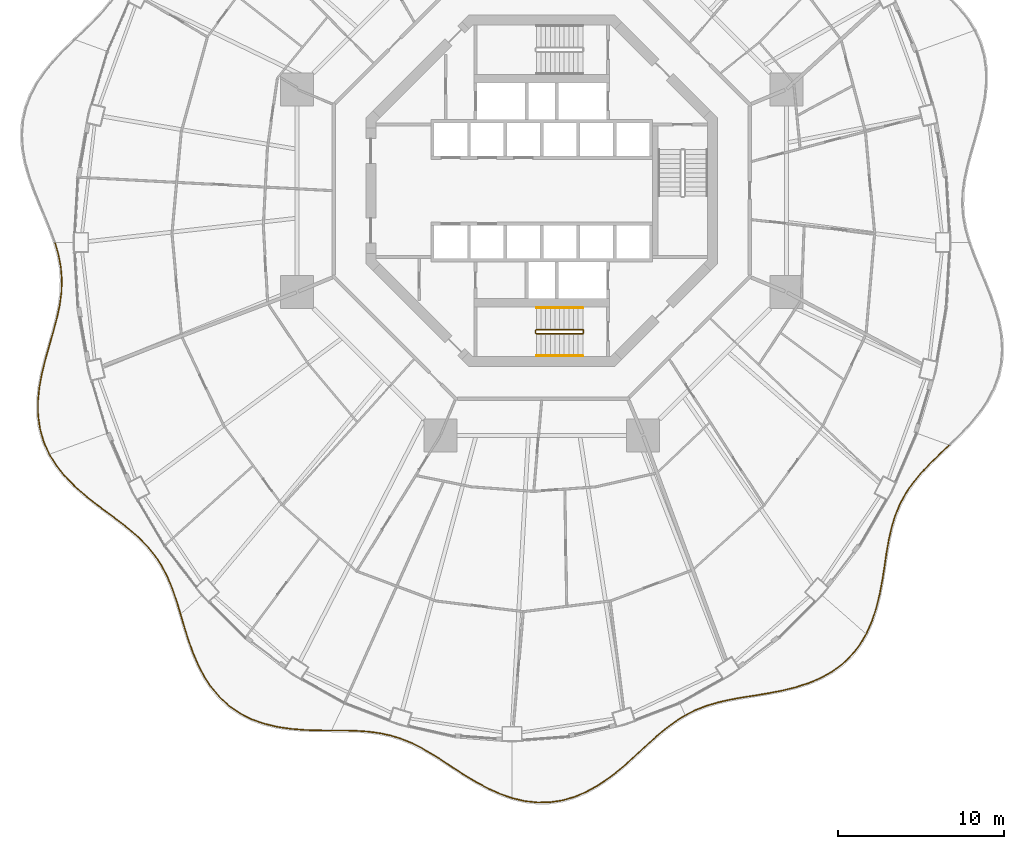
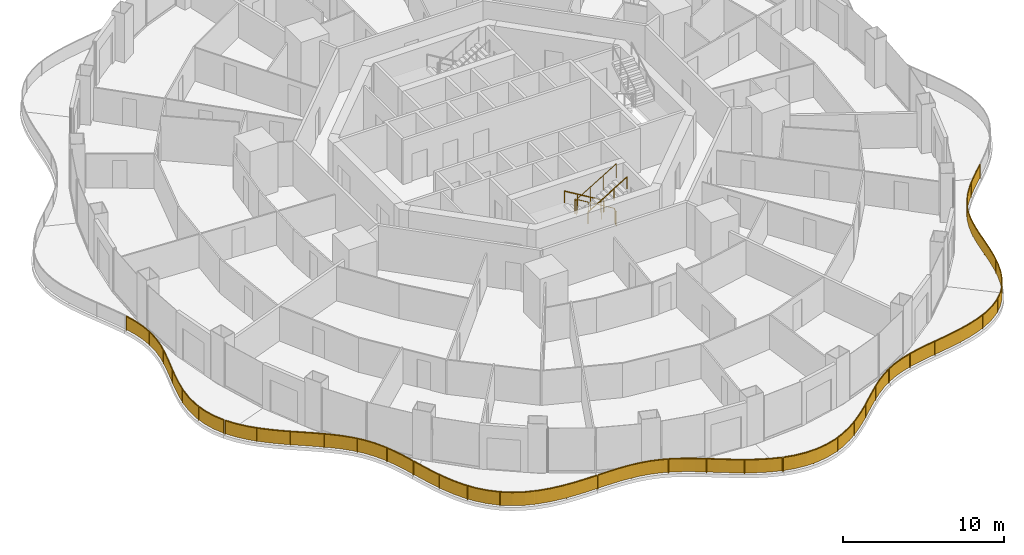
# One storey, part 19 of 21: 10 railings.
"""IFC4 building model written with IfcOpenShell, lengths in metres."""

from ifc_helpers import new_model, si_unit, direction, frame, origin, origin_2d, place, context, subcontext, project, spatial, polyline, rectangle, circle, outline, extrude, material, type_object, element, save


model = new_model("IFC4")

# Units and contexts
model_context = context("Model", 3, precision=1e-05, world=origin(), true_north=direction((0.0, 1.0)))
body_context = subcontext(model_context, "Body", "Model", "MODEL_VIEW")
ifc_project = project(units=[si_unit("LENGTHUNIT", "METRE"), si_unit("AREAUNIT", "SQUARE_METRE"), si_unit("VOLUMEUNIT", "CUBIC_METRE"), si_unit("PLANEANGLEUNIT", "RADIAN"), si_unit("MASSUNIT", "GRAM", prefix="KILO")], contexts=[model_context])

# Site, building, storey
site_placement = place(None, origin())
site = spatial("IfcSite", under=ifc_project, at=site_placement, CompositionType="ELEMENT")
building_placement = place(site_placement, origin())
building = spatial("IfcBuilding", under=site, at=building_placement, Name="Nagisa Residences", CompositionType="ELEMENT")
storey_placement = place(building_placement, frame((0.0, 0.0, 156.60009765625)))
storey = spatial("IfcBuildingStorey", under=building, at=storey_placement, Name="L39", CompositionType="ELEMENT", Elevation=156.60009765625)

# Railings
ifc_material_1 = material(Name="Stainless steel 316", Category="steel")
railing_type_1 = type_object("IfcRailingType", Name="BALCONY GUARD 1100", PredefinedType="BALUSTRADE", material=ifc_material_1)
railing_1_placement = place(storey_placement, frame((-29.405029296875, -3.15234375, 0.0)))
element("IfcRailing", 1, at=railing_1_placement, inside=storey, type_object=railing_type_1, Name="guard:L39:bal08-0", PredefinedType="BALUSTRADE", context=body_context, shape_type="SweptSolid", body=[
    extrude(outline(polyline([(0.23046875, -0.710693359375), (0.024169921875, 0.0068359375), (-0.024169921875, -0.0068359375), (0.181640625, -0.722412109375), (0.3232421875, -1.47265625), (0.3828125, -2.222900390625), (0.35888671875, -2.980712890625), (0.257568359375, -3.75048828125), (0.08935546875, -4.524169921875), (-0.1240234375, -5.3310546875), (-0.3623046875, -6.157470703125), (-0.60009765625, -7.001220703125), (-0.811279296875, -7.857666015625), (-0.97412109375, -8.706298828125), (-1.058837890625, -9.56591796875), (-1.050048828125, -10.413818359375), (-0.935302734375, -11.2392578125), (-0.707275390625, -12.033935546875), (-0.385498046875, -12.746337890625), (-0.340087890625, -12.725830078125), (-0.660400390625, -12.016845703125), (-0.885986328125, -11.22900390625), (-1.000244140625, -10.409912109375), (-1.008544921875, -9.568359375), (-0.92431640625, -8.713623046875), (-0.762451171875, -7.868408203125), (-0.5517578125, -7.013916015625), (-0.31396484375, -6.171142578125), (-0.07568359375, -5.34423828125), (0.13818359375, -4.535888671875), (0.306884765625, -3.75927734375), (0.40869140625, -2.984619140625), (0.43310546875, -2.221923828125), (0.373046875, -1.4658203125), (0.23046875, -0.710693359375)])), frame((0.0, 0.0, 1.050048828125)), (0.0, 0.0, 1.0), 0.050048828125),
    extrude(outline(polyline([(0.212890625, -0.71484375), (0.0068359375, 0.001953125), (-0.0068359375, -0.001953125), (0.19921875, -0.71826171875), (0.34130859375, -1.47021484375), (0.40087890625, -2.22265625), (0.376708984375, -2.982177734375), (0.275390625, -3.753662109375), (0.10693359375, -4.5283203125), (-0.106689453125, -5.335693359375), (-0.344970703125, -6.162353515625), (-0.582763671875, -7.005859375), (-0.793701171875, -7.861572265625), (-0.9560546875, -8.708984375), (-1.040771484375, -9.56689453125), (-1.0322265625, -10.412353515625), (-0.91748046875, -11.235595703125), (-0.6904296875, -12.02783203125), (-0.369140625, -12.739013671875), (-0.3564453125, -12.733154296875), (-0.67724609375, -12.02294921875), (-0.90380859375, -11.232666015625), (-1.01806640625, -10.411376953125), (-1.026611328125, -9.5673828125), (-0.9423828125, -8.7109375), (-0.780029296875, -7.864501953125), (-0.569091796875, -7.00927734375), (-0.331298828125, -6.166259765625), (-0.093017578125, -5.339599609375), (0.12060546875, -4.53173828125), (0.2890625, -3.756103515625), (0.390869140625, -2.983154296875), (0.4150390625, -2.22216796875), (0.35498046875, -1.46826171875), (0.212890625, -0.71484375)])), frame((0.0, 0.0, 0.06005859375)), (0.0, 0.0, 1.0), 0.989990234375),
    extrude(rectangle(XDim=0.0400390625, YDim=0.0400390625, at=origin_2d()), origin(), (0.0, 0.0, 1.0), 1.050048828125),
    extrude(rectangle(XDim=0.0400390625, YDim=0.0400390625, at=origin_2d()), frame((0.400634765625, -2.13134765625, 0.0)), (0.0, 0.0, 1.0), 1.050048828125),
    extrude(rectangle(XDim=0.0400390625, YDim=0.0400390625, at=origin_2d()), frame((0.16650390625, -4.287353515625, 0.0)), (0.0, 0.0, 1.0), 1.050048828125),
    extrude(rectangle(XDim=0.0400390625, YDim=0.0400390625, at=origin_2d()), frame((-0.401123046875, -6.38720703125, 0.0)), (0.0, 0.0, 1.0), 1.050048828125),
    extrude(rectangle(XDim=0.0400390625, YDim=0.0400390625, at=origin_2d()), frame((-0.9091796875, -8.50146484375, 0.0)), (0.0, 0.0, 1.0), 1.050048828125),
    extrude(rectangle(XDim=0.0400390625, YDim=0.0400390625, at=origin_2d()), frame((-0.98974609375, -10.666748046875, 0.0)), (0.0, 0.0, 1.0), 1.050048828125),
    extrude(rectangle(XDim=0.0400390625, YDim=0.0400390625, at=origin_2d()), frame((-0.36279296875, -12.736083984375, 0.0)), (0.0, 0.0, 1.0), 1.050048828125),
])
railing_2_placement = place(storey_placement, frame((-29.731201171875, -15.95654296875, 0.0)))
element("IfcRailing", 2, at=railing_2_placement, inside=storey, type_object=railing_type_1, Name="guard:L39:bal09-0", PredefinedType="BALUSTRADE", context=body_context, shape_type="SweptSolid", body=[
    extrude(outline(polyline([(0.4267578125, -0.634033203125), (0.021240234375, 0.01318359375), (-0.021240234375, -0.01318359375), (0.3857421875, -0.662841796875), (0.904541015625, -1.31005859375), (1.49462890625, -1.91455078125), (2.136474609375, -2.480224609375), (2.808349609375, -3.013671875), (3.481201171875, -3.510986328125), (4.1474609375, -4.009765625), (4.78125, -4.5087890625), (5.36767578125, -5.020751953125), (5.895751953125, -5.55712890625), (6.351806640625, -6.115478515625), (6.752685546875, -6.728515625), (7.094970703125, -7.38818359375), (7.388671875, -8.095458984375), (7.647216796875, -8.8466796875), (7.872802734375, -9.591552734375), (7.920654296875, -9.576904296875), (7.695068359375, -8.8310546875), (7.435546875, -8.077880859375), (7.140380859375, -7.3671875), (6.796142578125, -6.703125), (6.392333984375, -6.085693359375), (5.932861328125, -5.5234375), (5.40185546875, -4.984130859375), (4.81298828125, -4.47021484375), (4.177734375, -3.97021484375), (3.510986328125, -3.470947265625), (2.838623046875, -2.97412109375), (2.168701171875, -2.441650390625), (1.529296875, -1.87841796875), (0.942138671875, -1.27685546875), (0.4267578125, -0.634033203125)])), frame((0.0, 0.0, 1.050048828125)), (0.0, 0.0, 1.0), 0.050048828125),
    extrude(outline(polyline([(0.411865234375, -0.644287109375), (0.005859375, 0.003662109375), (-0.005859375, -0.003662109375), (0.400634765625, -0.652587890625), (0.918212890625, -1.298095703125), (1.507080078125, -1.901611328125), (2.148193359375, -2.46630859375), (2.8193359375, -2.99951171875), (3.491943359375, -3.49658203125), (4.158447265625, -3.99560546875), (4.792724609375, -4.494873046875), (5.3798828125, -5.007568359375), (5.9091796875, -5.544921875), (6.366455078125, -6.104736328125), (6.768310546875, -6.71923828125), (7.111328125, -7.380615234375), (7.405517578125, -8.089111328125), (7.66455078125, -8.841064453125), (7.89013671875, -9.586181640625), (7.9033203125, -9.582275390625), (7.677734375, -8.836669921875), (7.418701171875, -8.084228515625), (7.1240234375, -7.374755859375), (6.780517578125, -6.71240234375), (6.377685546875, -6.096435546875), (5.91943359375, -5.53564453125), (5.3896484375, -4.997314453125), (4.801513671875, -4.484130859375), (4.166748046875, -3.984375), (3.500244140625, -3.4853515625), (2.82763671875, -2.98828125), (2.156982421875, -2.45556640625), (1.516845703125, -1.891357421875), (0.928466796875, -1.288818359375), (0.411865234375, -0.644287109375)])), frame((0.0, 0.0, 0.06005859375)), (0.0, 0.0, 1.0), 0.989990234375),
    extrude(rectangle(XDim=0.0400390625, YDim=0.0400390625, at=origin_2d()), origin(), (0.0, 0.0, 1.0), 1.050048828125),
    extrude(rectangle(XDim=0.0400390625, YDim=0.0400390625, at=origin_2d()), frame((1.290283203125, -1.66943359375, 0.0)), (0.0, 0.0, 1.0), 1.050048828125),
    extrude(rectangle(XDim=0.0400390625, YDim=0.0400390625, at=origin_2d()), frame((2.89501953125, -3.046875, 0.0)), (0.0, 0.0, 1.0), 1.050048828125),
    extrude(rectangle(XDim=0.0400390625, YDim=0.0400390625, at=origin_2d()), frame((4.584716796875, -4.322265625, 0.0)), (0.0, 0.0, 1.0), 1.050048828125),
    extrude(rectangle(XDim=0.0400390625, YDim=0.0400390625, at=origin_2d()), frame((6.111572265625, -5.781982421875, 0.0)), (0.0, 0.0, 1.0), 1.050048828125),
    extrude(rectangle(XDim=0.0400390625, YDim=0.0400390625, at=origin_2d()), frame((7.203857421875, -7.58544921875, 0.0)), (0.0, 0.0, 1.0), 1.050048828125),
    extrude(rectangle(XDim=0.0400390625, YDim=0.0400390625, at=origin_2d()), frame((7.896728515625, -9.584228515625, 0.0)), (0.0, 0.0, 1.0), 1.050048828125),
])
railing_3_placement = place(storey_placement, frame((-21.814453125, -25.61376953125, 0.0)))
element("IfcRailing", 3, at=railing_3_placement, inside=storey, type_object=railing_type_1, Name="guard:L39:bal10-0", PredefinedType="BALUSTRADE", context=body_context, shape_type="SweptSolid", body=[
    extrude(outline(polyline([(0.237548828125, -0.723388671875), (0.02392578125, 0.007080078125), (-0.02392578125, -0.007080078125), (0.189697265625, -0.738037109375), (0.43505859375, -1.5205078125), (0.712158203125, -2.29736328125), (1.03466796875, -3.05322265625), (1.413818359375, -3.77197265625), (1.845458984375, -4.427734375), (2.35791015625, -5.028564453125), (2.93994140625, -5.552978515625), (3.587158203125, -5.993896484375), (4.29296875, -6.3486328125), (5.03564453125, -6.60986328125), (5.826171875, -6.7998046875), (6.64306640625, -6.92138671875), (7.4716796875, -6.98779296875), (8.299560546875, -7.015380859375), (9.07080078125, -7.019287109375), (9.0712890625, -6.969482421875), (8.300537109375, -6.965576171875), (7.474609375, -6.93798828125), (6.64892578125, -6.87158203125), (5.8359375, -6.75048828125), (5.0498046875, -6.56201171875), (4.3125, -6.30224609375), (3.612548828125, -5.950439453125), (2.970703125, -5.513427734375), (2.39404296875, -4.993408203125), (1.885498046875, -4.3974609375), (1.456787109375, -3.74658203125), (1.080078125, -3.03173828125), (0.758544921875, -2.279296875), (0.482421875, -1.50439453125), (0.237548828125, -0.723388671875)])), frame((0.0, 0.0, 1.050048828125)), (0.0, 0.0, 1.0), 0.050048828125),
    extrude(outline(polyline([(0.22021484375, -0.728759765625), (0.0068359375, 0.001953125), (-0.0068359375, -0.001953125), (0.20703125, -0.732666015625), (0.4521484375, -1.5146484375), (0.728759765625, -2.290771484375), (1.051025390625, -3.04541015625), (1.42919921875, -3.762939453125), (1.85986328125, -4.416748046875), (2.370849609375, -5.015869140625), (2.950927734375, -5.538818359375), (3.59619140625, -5.978271484375), (4.300048828125, -6.331787109375), (5.040771484375, -6.5927734375), (5.829833984375, -6.781982421875), (6.645263671875, -6.903564453125), (7.47265625, -6.969970703125), (8.2998046875, -6.99755859375), (9.071044921875, -7.00146484375), (9.071044921875, -6.9873046875), (8.30029296875, -6.9833984375), (7.4736328125, -6.955810546875), (6.646728515625, -6.889404296875), (5.832275390625, -6.768310546875), (5.044677734375, -6.5791015625), (4.305419921875, -6.319091796875), (3.603515625, -5.966064453125), (2.959716796875, -5.527587890625), (2.381103515625, -5.006103515625), (1.87109375, -4.408447265625), (1.44140625, -3.755615234375), (1.063720703125, -3.03955078125), (0.741943359375, -2.285888671875), (0.46533203125, -1.51025390625), (0.22021484375, -0.728759765625)])), frame((0.0, 0.0, 0.06005859375)), (0.0, 0.0, 1.0), 0.989990234375),
    extrude(rectangle(XDim=0.0400390625, YDim=0.0400390625, at=origin_2d()), origin(), (0.0, 0.0, 1.0), 1.050048828125),
    extrude(rectangle(XDim=0.0400390625, YDim=0.0400390625, at=origin_2d()), frame((0.644287109375, -2.03271484375, 0.0)), (0.0, 0.0, 1.0), 1.050048828125),
    extrude(rectangle(XDim=0.0400390625, YDim=0.0400390625, at=origin_2d()), frame((1.5625, -3.952392578125, 0.0)), (0.0, 0.0, 1.0), 1.050048828125),
    extrude(rectangle(XDim=0.0400390625, YDim=0.0400390625, at=origin_2d()), frame((2.9677734375, -5.541748046875, 0.0)), (0.0, 0.0, 1.0), 1.050048828125),
    extrude(rectangle(XDim=0.0400390625, YDim=0.0400390625, at=origin_2d()), frame((4.851318359375, -6.5185546875, 0.0)), (0.0, 0.0, 1.0), 1.050048828125),
    extrude(rectangle(XDim=0.0400390625, YDim=0.0400390625, at=origin_2d()), frame((6.9404296875, -6.920166015625, 0.0)), (0.0, 0.0, 1.0), 1.050048828125),
    extrude(rectangle(XDim=0.0400390625, YDim=0.0400390625, at=origin_2d()), frame((9.071044921875, -6.994384765625, 0.0)), (0.0, 0.0, 1.0), 1.050048828125),
])
railing_4_placement = place(storey_placement, frame((-12.667724609375, -32.60693359375, 0.0)))
element("IfcRailing", 4, at=railing_4_placement, inside=storey, type_object=railing_type_1, Name="guard:L39:bal11-0", PredefinedType="BALUSTRADE", context=body_context, shape_type="SweptSolid", body=[
    extrude(outline(polyline([(0.723388671875, 0.0224609375), (0.0, 0.02490234375), (0.0, -0.02490234375), (0.722412109375, -0.02734375), (1.467041015625, -0.04736328125), (2.185302734375, -0.097412109375), (2.876220703125, -0.189453125), (3.543212890625, -0.333251953125), (4.173095703125, -0.529541015625), (4.805908203125, -0.7890625), (5.43212890625, -1.1044921875), (6.058837890625, -1.468505859375), (6.69287109375, -1.869140625), (7.323486328125, -2.289794921875), (7.989990234375, -2.718505859375), (8.677978515625, -3.133544921875), (9.388427734375, -3.515625), (10.1201171875, -3.846435546875), (10.822998046875, -4.09521484375), (10.839599609375, -4.0478515625), (10.138671875, -3.800048828125), (9.410400390625, -3.470703125), (8.702880859375, -3.090087890625), (8.016357421875, -2.676025390625), (7.350830078125, -2.247802734375), (6.72021484375, -1.8271484375), (6.084716796875, -1.425537109375), (5.4560546875, -1.060546875), (4.826904296875, -0.74365234375), (4.190185546875, -0.482177734375), (3.555908203125, -0.284912109375), (2.885009765625, -0.14013671875), (2.190185546875, -0.047607421875), (1.469482421875, 0.00244140625), (0.723388671875, 0.0224609375)])), frame((0.0, 0.0, 1.050048828125)), (0.0, 0.0, 1.0), 0.050048828125),
    extrude(outline(polyline([(0.722900390625, 0.004638671875), (0.0, 0.007080078125), (0.0, -0.007080078125), (0.722900390625, -0.009521484375), (1.468017578125, -0.029541015625), (2.18701171875, -0.07958984375), (2.87939453125, -0.171630859375), (3.5478515625, -0.31591796875), (4.17919921875, -0.512451171875), (4.8134765625, -0.772705078125), (5.440673828125, -1.088623046875), (6.068115234375, -1.453125), (6.70263671875, -1.85400390625), (7.333251953125, -2.274658203125), (7.99951171875, -2.703125), (8.68701171875, -3.117919921875), (9.396240234375, -3.49951171875), (10.126708984375, -3.829833984375), (10.828857421875, -4.078125), (10.833740234375, -4.06494140625), (10.132080078125, -3.816650390625), (9.402587890625, -3.48681640625), (8.69384765625, -3.105712890625), (8.0068359375, -2.69140625), (7.341064453125, -2.262939453125), (6.71044921875, -1.84228515625), (6.075439453125, -1.44091796875), (5.447509765625, -1.076416015625), (4.8193359375, -0.760009765625), (4.18408203125, -0.499267578125), (3.55126953125, -0.30224609375), (2.8818359375, -0.157958984375), (2.1884765625, -0.0654296875), (1.468505859375, -0.015380859375), (0.722900390625, 0.004638671875)])), frame((0.0, 0.0, 0.06005859375)), (0.0, 0.0, 1.0), 0.989990234375),
    extrude(rectangle(XDim=0.0400390625, YDim=0.0400390625, at=origin_2d()), origin(), (0.0, 0.0, 1.0), 1.050048828125),
    extrude(rectangle(XDim=0.0400390625, YDim=0.0400390625, at=origin_2d()), frame((2.357177734375, -0.09521484375, 0.0)), (0.0, 0.0, 1.0), 1.050048828125),
    extrude(rectangle(XDim=0.0400390625, YDim=0.0400390625, at=origin_2d()), frame((4.6318359375, -0.690673828125, 0.0)), (0.0, 0.0, 1.0), 1.050048828125),
    extrude(rectangle(XDim=0.0400390625, YDim=0.0400390625, at=origin_2d()), frame((6.691162109375, -1.83837890625, 0.0)), (0.0, 0.0, 1.0), 1.050048828125),
    extrude(rectangle(XDim=0.0400390625, YDim=0.0400390625, at=origin_2d()), frame((8.681884765625, -3.106689453125, 0.0)), (0.0, 0.0, 1.0), 1.050048828125),
    extrude(rectangle(XDim=0.0400390625, YDim=0.0400390625, at=origin_2d()), frame((10.831298828125, -4.071533203125, 0.0)), (0.0, 0.0, 1.0), 1.050048828125),
])
railing_5_placement = place(storey_placement, frame((-1.762451171875, -36.700927734375, 0.0)))
element("IfcRailing", 5, at=railing_5_placement, inside=storey, type_object=railing_type_1, Name="guard:L39:bal12-0", PredefinedType="BALUSTRADE", context=body_context, shape_type="SweptSolid", body=[
    extrude(outline(polyline([(0.717529296875, -0.14599609375), (0.005859375, 0.0244140625), (-0.005859375, -0.0244140625), (0.708740234375, -0.1953125), (1.477783203125, -0.28271484375), (2.24560546875, -0.270263671875), (3.0048828125, -0.156982421875), (3.74658203125, 0.054443359375), (4.4521484375, 0.3544921875), (5.146728515625, 0.736328125), (5.812255859375, 1.182861328125), (6.448486328125, 1.677001953125), (7.057373046875, 2.199951171875), (7.6259765625, 2.72802734375), (8.194091796875, 3.253173828125), (8.75244140625, 3.754150390625), (9.3095703125, 4.217529296875), (9.87451171875, 4.6328125), (10.4189453125, 4.972412109375), (10.392578125, 5.014892578125), (9.84619140625, 4.67431640625), (9.27880859375, 4.257080078125), (8.7197265625, 3.792236328125), (8.160400390625, 3.290283203125), (7.591796875, 2.7646484375), (7.024169921875, 2.237060546875), (6.416748046875, 1.715576171875), (5.782958984375, 1.223388671875), (5.120849609375, 0.779296875), (4.43017578125, 0.3994140625), (3.72998046875, 0.101806640625), (2.994140625, -0.108154296875), (2.24169921875, -0.220458984375), (1.480224609375, -0.232421875), (0.717529296875, -0.14599609375)])), frame((0.0, 0.0, 1.050048828125)), (0.0, 0.0, 1.0), 0.050048828125),
    extrude(outline(polyline([(0.71435546875, -0.163818359375), (0.001708984375, 0.0068359375), (-0.001708984375, -0.0068359375), (0.7119140625, -0.177490234375), (1.478759765625, -0.2646484375), (2.244140625, -0.25244140625), (3.0009765625, -0.139404296875), (3.74072265625, 0.071533203125), (4.4443359375, 0.37060546875), (5.137451171875, 0.751708984375), (5.8017578125, 1.197509765625), (6.43701171875, 1.69091796875), (7.04541015625, 2.21337890625), (7.613525390625, 2.7412109375), (8.181884765625, 3.2666015625), (8.74072265625, 3.767822265625), (9.298583984375, 4.231689453125), (9.8642578125, 4.647705078125), (10.409423828125, 4.98779296875), (10.402099609375, 4.99951171875), (9.8564453125, 4.659423828125), (9.289794921875, 4.242919921875), (8.7314453125, 3.778564453125), (8.172607421875, 3.27685546875), (7.604248046875, 2.75146484375), (7.0361328125, 2.2236328125), (6.42822265625, 1.70166015625), (5.79345703125, 1.208740234375), (5.130126953125, 0.763916015625), (4.43798828125, 0.38330078125), (3.73583984375, 0.084716796875), (2.998046875, -0.125732421875), (2.2431640625, -0.23828125), (1.479248046875, -0.25048828125), (0.71435546875, -0.163818359375)])), frame((0.0, 0.0, 0.06005859375)), (0.0, 0.0, 1.0), 0.989990234375),
    extrude(rectangle(XDim=0.0400390625, YDim=0.0400390625, at=origin_2d()), origin(), (0.0, 0.0, 1.0), 1.050048828125),
    extrude(rectangle(XDim=0.0400390625, YDim=0.0400390625, at=origin_2d()), frame((1.996826171875, -0.249267578125, 0.0)), (0.0, 0.0, 1.0), 1.050048828125),
    extrude(rectangle(XDim=0.0400390625, YDim=0.0400390625, at=origin_2d()), frame((3.961669921875, 0.173095703125, 0.0)), (0.0, 0.0, 1.0), 1.050048828125),
    extrude(rectangle(XDim=0.0400390625, YDim=0.0400390625, at=origin_2d()), frame((5.723876953125, 1.153564453125, 0.0)), (0.0, 0.0, 1.0), 1.050048828125),
    extrude(rectangle(XDim=0.0400390625, YDim=0.0400390625, at=origin_2d()), frame((7.28076171875, 2.44140625, 0.0)), (0.0, 0.0, 1.0), 1.050048828125),
    extrude(rectangle(XDim=0.0400390625, YDim=0.0400390625, at=origin_2d()), frame((8.77392578125, 3.8046875, 0.0)), (0.0, 0.0, 1.0), 1.050048828125),
    extrude(rectangle(XDim=0.0400390625, YDim=0.0400390625, at=origin_2d()), frame((10.40576171875, 4.99365234375, 0.0)), (0.0, 0.0, 1.0), 1.050048828125),
])
railing_6_placement = place(storey_placement, frame((8.703125, -31.6728515625, 0.0)))
element("IfcRailing", 6, at=railing_6_placement, inside=storey, type_object=railing_type_1, Name="guard:L39:bal13-0", PredefinedType="BALUSTRADE", context=body_context, shape_type="SweptSolid", body=[
    extrude(outline(polyline([(0.580322265625, 0.31982421875), (-0.01123046875, 0.0224609375), (0.01123046875, -0.0224609375), (0.600830078125, 0.27392578125), (1.25927734375, 0.53125), (1.95263671875, 0.7373046875), (2.681884765625, 0.902587890625), (3.443603515625, 1.041015625), (4.218017578125, 1.15966796875), (5.02392578125, 1.293701171875), (5.835205078125, 1.45166015625), (6.638671875, 1.64892578125), (7.41943359375, 1.89990234375), (8.1513671875, 2.205322265625), (8.8447265625, 2.59326171875), (9.4755859375, 3.05712890625), (10.03515625, 3.596923828125), (10.518310546875, 4.2080078125), (10.89697265625, 4.842041015625), (10.85400390625, 4.867919921875), (10.476806640625, 4.236328125), (9.998046875, 3.630615234375), (9.443359375, 3.095703125), (8.8173828125, 2.63525390625), (8.12939453125, 2.250244140625), (7.40234375, 1.94677734375), (6.625, 1.697265625), (5.824462890625, 1.50048828125), (5.01513671875, 1.343017578125), (4.210205078125, 1.208984375), (3.435302734375, 1.09033203125), (2.671630859375, 0.951416015625), (1.93994140625, 0.78564453125), (1.2431640625, 0.57861328125), (0.580322265625, 0.31982421875)])), frame((0.0, 0.0, 1.050048828125)), (0.0, 0.0, 1.0), 0.050048828125),
    extrude(outline(polyline([(0.587646484375, 0.30322265625), (-0.003173828125, 0.00634765625), (0.003173828125, -0.00634765625), (0.593505859375, 0.29052734375), (1.25341796875, 0.54833984375), (1.947998046875, 0.754638671875), (2.67822265625, 0.920166015625), (3.440673828125, 1.058837890625), (4.21533203125, 1.177490234375), (5.020751953125, 1.3115234375), (5.831298828125, 1.46923828125), (6.6337890625, 1.666259765625), (7.413330078125, 1.916748046875), (8.1435546875, 2.221435546875), (8.8349609375, 2.6083984375), (9.464111328125, 3.071044921875), (10.021728515625, 3.609130859375), (10.50341796875, 4.21826171875), (10.881591796875, 4.851318359375), (10.869384765625, 4.858642578125), (10.49169921875, 4.22607421875), (10.011474609375, 3.618408203125), (9.454833984375, 3.081787109375), (8.8271484375, 2.6201171875), (8.13720703125, 2.234130859375), (7.408447265625, 1.929931640625), (6.6298828125, 1.679931640625), (5.828369140625, 1.48291015625), (5.018310546875, 1.3251953125), (4.212890625, 1.191162109375), (3.438232421875, 1.072509765625), (2.67529296875, 0.933837890625), (1.944580078125, 0.768310546875), (1.2490234375, 0.5615234375), (0.587646484375, 0.30322265625)])), frame((0.0, 0.0, 0.06005859375)), (0.0, 0.0, 1.0), 0.989990234375),
    extrude(rectangle(XDim=0.0400390625, YDim=0.0400390625, at=origin_2d()), origin(), (0.0, 0.0, 1.0), 1.050048828125),
    extrude(rectangle(XDim=0.0400390625, YDim=0.0400390625, at=origin_2d()), frame((1.908935546875, 0.750244140625, 0.0)), (0.0, 0.0, 1.0), 1.050048828125),
    extrude(rectangle(XDim=0.0400390625, YDim=0.0400390625, at=origin_2d()), frame((3.927001953125, 1.140380859375, 0.0)), (0.0, 0.0, 1.0), 1.050048828125),
    extrude(rectangle(XDim=0.0400390625, YDim=0.0400390625, at=origin_2d()), frame((5.949951171875, 1.505615234375, 0.0)), (0.0, 0.0, 1.0), 1.050048828125),
    extrude(rectangle(XDim=0.0400390625, YDim=0.0400390625, at=origin_2d()), frame((7.905517578125, 2.1298828125, 0.0)), (0.0, 0.0, 1.0), 1.050048828125),
    extrude(rectangle(XDim=0.0400390625, YDim=0.0400390625, at=origin_2d()), frame((9.625244140625, 3.236328125, 0.0)), (0.0, 0.0, 1.0), 1.050048828125),
    extrude(rectangle(XDim=0.0400390625, YDim=0.0400390625, at=origin_2d()), frame((10.87548828125, 4.85498046875, 0.0)), (0.0, 0.0, 1.0), 1.050048828125),
])
railing_7_placement = place(storey_placement, frame((19.614013671875, -26.7490234375, 0.0)))
element("IfcRailing", 7, at=railing_7_placement, inside=storey, type_object=railing_type_1, Name="guard:L39:bal14-0", PredefinedType="BALUSTRADE", context=body_context, shape_type="SweptSolid", body=[
    extrude(outline(polyline([(0.298583984375, 0.72900390625), (-0.02294921875, 0.01025390625), (0.02294921875, -0.01025390625), (0.345458984375, 0.7109375), (0.6142578125, 1.518310546875), (0.820556640625, 2.353515625), (0.981201171875, 3.199951171875), (1.11474609375, 4.042724609375), (1.2333984375, 4.855224609375), (1.373779296875, 5.651611328125), (1.54638671875, 6.412109375), (1.767333984375, 7.13232421875), (2.048583984375, 7.8125), (2.390625, 8.442138671875), (2.808837890625, 9.053955078125), (3.292724609375, 9.642822265625), (3.833251953125, 10.21875), (4.416259765625, 10.7919921875), (4.991943359375, 11.340087890625), (4.957275390625, 11.376220703125), (4.381591796875, 10.828125), (3.797607421875, 10.25390625), (3.255126953125, 9.676025390625), (2.768798828125, 9.084228515625), (2.34765625, 8.468505859375), (2.003173828125, 7.833984375), (1.719970703125, 7.1494140625), (1.498046875, 6.4248046875), (1.324462890625, 5.661376953125), (1.18408203125, 4.863037109375), (1.0654296875, 4.050048828125), (0.931884765625, 3.208740234375), (0.771728515625, 2.3642578125), (0.56591796875, 1.532470703125), (0.298583984375, 0.72900390625)])), frame((0.0, 0.0, 1.050048828125)), (0.0, 0.0, 1.0), 0.050048828125),
    extrude(outline(polyline([(0.3154296875, 0.722412109375), (-0.00634765625, 0.0029296875), (0.00634765625, -0.0029296875), (0.32861328125, 0.717529296875), (0.596923828125, 1.5234375), (0.802978515625, 2.357421875), (0.96337890625, 3.203125), (1.096923828125, 4.04541015625), (1.215576171875, 4.85791015625), (1.35595703125, 5.655029296875), (1.529052734375, 6.416748046875), (1.750244140625, 7.138427734375), (2.0322265625, 7.8203125), (2.375, 8.45166015625), (2.79443359375, 9.06494140625), (3.279296875, 9.65478515625), (3.820556640625, 10.2314453125), (4.40380859375, 10.804931640625), (4.9794921875, 11.35302734375), (4.9697265625, 11.36328125), (4.39404296875, 10.815185546875), (3.810302734375, 10.2412109375), (3.2685546875, 9.6640625), (2.783203125, 9.0732421875), (2.36328125, 8.458984375), (2.01953125, 7.826171875), (1.737060546875, 7.143310546875), (1.515380859375, 6.420166015625), (1.34228515625, 5.657958984375), (1.201904296875, 4.8603515625), (1.083251953125, 4.04736328125), (0.94970703125, 3.20556640625), (0.789306640625, 2.3603515625), (0.583251953125, 1.52734375), (0.3154296875, 0.722412109375)])), frame((0.0, 0.0, 0.06005859375)), (0.0, 0.0, 1.0), 0.989990234375),
    extrude(rectangle(XDim=0.0400390625, YDim=0.0400390625, at=origin_2d()), origin(), (0.0, 0.0, 1.0), 1.050048828125),
    extrude(rectangle(XDim=0.0400390625, YDim=0.0400390625, at=origin_2d()), frame((0.70703125, 1.998046875, 0.0)), (0.0, 0.0, 1.0), 1.050048828125),
    extrude(rectangle(XDim=0.0400390625, YDim=0.0400390625, at=origin_2d()), frame((1.095947265625, 4.085693359375, 0.0)), (0.0, 0.0, 1.0), 1.050048828125),
    extrude(rectangle(XDim=0.0400390625, YDim=0.0400390625, at=origin_2d()), frame((1.46728515625, 6.176513671875, 0.0)), (0.0, 0.0, 1.0), 1.050048828125),
    extrude(rectangle(XDim=0.0400390625, YDim=0.0400390625, at=origin_2d()), frame((2.208251953125, 8.1591796875, 0.0)), (0.0, 0.0, 1.0), 1.050048828125),
    extrude(rectangle(XDim=0.0400390625, YDim=0.0400390625, at=origin_2d()), frame((3.465576171875, 9.863525390625, 0.0)), (0.0, 0.0, 1.0), 1.050048828125),
    extrude(rectangle(XDim=0.0400390625, YDim=0.0400390625, at=origin_2d()), frame((4.974609375, 11.358154296875, 0.0)), (0.0, 0.0, 1.0), 1.050048828125),
])
ifc_material_2 = material(Name="Stainless steel", Category="steel")
railing_type_2 = type_object("IfcRailingType", Name="Stair guard 1100", PredefinedType="GUARDRAIL", material=ifc_material_2)
railing_8_placement = place(storey_placement, frame((2.52490234375, -8.599609375, 0.0)))
element("IfcRailing", 8, at=railing_8_placement, inside=storey, type_object=railing_type_2, Name="L39 ST-S stair guard 1", PredefinedType="GUARDRAIL", context=body_context, shape_type="SweptSolid", body=[
    extrude(circle(Radius=0.02392578125, at=origin_2d()), frame((0.0, 0.0, 1.076171875), z_axis=(0.0, 1.0, 0.0), x_axis=(-1.0, 0.0, 0.0)), (0.0, 0.0, 1.0), 0.14990234375),
    extrude(circle(Radius=0.02392578125, at=origin_2d()), frame((0.0, 0.14990234375, 1.076171875), z_axis=(-0.273343290215, 0.274683208305, 0.921863645432), x_axis=(-0.708833529934, -0.705375805398, 0.0)), (0.0, 0.0, 1.0), 0.18212890625),
    extrude(circle(Radius=0.02392578125, at=origin_2d()), frame((-0.0498046875, 0.199951171875, 1.244140625), z_axis=(-0.857242210791, 0.0, 0.514913383045), x_axis=(0.0, -1.0, 0.0)), (0.0, 0.0, 1.0), 3.266357421875),
    extrude(circle(Radius=0.02392578125, at=origin_2d()), frame((-2.849853515625, 0.199951171875, 2.92578125), z_axis=(-0.707106781187, -0.707106781187, 0.0), x_axis=(0.707106781187, -0.707106781187, 0.0)), (0.0, 0.0, 1.0), 0.07080078125),
    extrude(circle(Radius=0.02392578125, at=origin_2d()), frame((-2.89990234375, 0.14990234375, 2.92578125), z_axis=(0.0, -1.0, 0.0), x_axis=(1.0, 0.0, 0.0)), (0.0, 0.0, 1.0), 0.14990234375),
    extrude(circle(Radius=0.02392578125, at=origin_2d()), frame((-2.89990234375, 0.0, 2.92578125), z_axis=(0.274243871929, -0.274243871929, 0.92172696468), x_axis=(0.707106781187, 0.707106781187, 0.0)), (0.0, 0.0, 1.0), 0.1826171875),
    extrude(circle(Radius=0.02392578125, at=origin_2d()), frame((-2.849853515625, -0.050048828125, 3.09423828125), z_axis=(0.857242210791, 0.0, 0.514913383045), x_axis=(0.0, 1.0, 0.0)), (0.0, 0.0, 1.0), 3.266357421875),
    extrude(circle(Radius=0.02099609375, at=origin_2d()), origin(), (0.0, 0.0, 1.0), 1.052001953125),
    extrude(circle(Radius=0.02099609375, at=origin_2d()), frame((0.0, 0.14990234375, 0.0)), (0.0, 0.0, 1.0), 1.052001953125),
    extrude(circle(Radius=0.02099609375, at=origin_2d()), frame((-0.0498046875, 0.199951171875, 0.16796875)), (0.0, 0.0, 1.0), 1.052001953125),
    extrude(circle(Radius=0.02099609375, at=origin_2d()), frame((-0.983154296875, 0.199951171875, 0.728515625)), (0.0, 0.0, 1.0), 1.052001953125),
    extrude(circle(Radius=0.02099609375, at=origin_2d()), frame((-1.91650390625, 0.199951171875, 1.289306640625)), (0.0, 0.0, 1.0), 1.052001953125),
    extrude(circle(Radius=0.02099609375, at=origin_2d()), frame((-2.849853515625, 0.199951171875, 1.849853515625)), (0.0, 0.0, 1.0), 1.052001953125),
    extrude(circle(Radius=0.02099609375, at=origin_2d()), frame((-2.89990234375, 0.14990234375, 1.849853515625)), (0.0, 0.0, 1.0), 1.052001953125),
    extrude(circle(Radius=0.02099609375, at=origin_2d()), frame((-2.89990234375, 0.0, 1.849853515625)), (0.0, 0.0, 1.0), 1.052001953125),
    extrude(circle(Radius=0.02099609375, at=origin_2d()), frame((-2.849853515625, -0.050048828125, 2.01806640625)), (0.0, 0.0, 1.0), 1.052001953125),
    extrude(circle(Radius=0.02099609375, at=origin_2d()), frame((-1.91650390625, -0.050048828125, 2.57861328125)), (0.0, 0.0, 1.0), 1.052001953125),
    extrude(circle(Radius=0.02099609375, at=origin_2d()), frame((-0.983154296875, -0.050048828125, 3.139404296875)), (0.0, 0.0, 1.0), 1.052001953125),
    extrude(circle(Radius=0.02099609375, at=origin_2d()), frame((-0.0498046875, -0.050048828125, 3.699951171875)), (0.0, 0.0, 1.0), 1.052001953125),
])
ifc_material_3 = material(Name="Stainless steel", Category="steel")
railing_type_3 = type_object("IfcRailingType", Name="Stair handrail 900", PredefinedType="HANDRAIL", material=ifc_material_3)
railing_9_placement = place(storey_placement, frame((2.47509765625, -7.07470703125, 0.16796875)))
element("IfcRailing", 9, at=railing_9_placement, inside=storey, type_object=railing_type_3, Name="L39 ST-S stair handrail 1", PredefinedType="HANDRAIL", context=body_context, shape_type="SweptSolid", body=[
    extrude(circle(Radius=0.02392578125, at=origin_2d()), frame((0.0, 0.0, 0.8759765625), z_axis=(-0.857242210791, 0.0, 0.514913383045), x_axis=(0.0, -1.0, 0.0)), (0.0, 0.0, 1.0), 3.266357421875),
    extrude(circle(Radius=0.02099609375, at=origin_2d()), origin(), (0.0, 0.0, 1.0), 0.851806640625),
    extrude(circle(Radius=0.02099609375, at=origin_2d()), frame((-0.933349609375, 0.0, 0.560546875)), (0.0, 0.0, 1.0), 0.851806640625),
    extrude(circle(Radius=0.02099609375, at=origin_2d()), frame((-1.86669921875, 0.0, 1.121337890625)), (0.0, 0.0, 1.0), 0.851806640625),
    extrude(circle(Radius=0.02099609375, at=origin_2d()), frame((-2.800048828125, 0.0, 1.681884765625)), (0.0, 0.0, 1.0), 0.851806640625),
])
railing_10_placement = place(storey_placement, frame((-0.324951171875, -9.974609375, 2.01806640625)))
element("IfcRailing", 10, at=railing_10_placement, inside=storey, type_object=railing_type_3, Name="L39 ST-S stair handrail 2", PredefinedType="HANDRAIL", context=body_context, shape_type="SweptSolid", body=[
    extrude(circle(Radius=0.02392578125, at=origin_2d()), frame((0.0, 0.0, 0.8759765625), z_axis=(0.857242210791, 0.0, 0.514913383045), x_axis=(0.0, 1.0, 0.0)), (0.0, 0.0, 1.0), 3.266357421875),
    extrude(circle(Radius=0.02099609375, at=origin_2d()), origin(), (0.0, 0.0, 1.0), 0.851806640625),
    extrude(circle(Radius=0.02099609375, at=origin_2d()), frame((0.933349609375, 0.0, 0.560546875)), (0.0, 0.0, 1.0), 0.851806640625),
    extrude(circle(Radius=0.02099609375, at=origin_2d()), frame((1.86669921875, 0.0, 1.121337890625)), (0.0, 0.0, 1.0), 0.851806640625),
    extrude(circle(Radius=0.02099609375, at=origin_2d()), frame((2.800048828125, 0.0, 1.681884765625)), (0.0, 0.0, 1.0), 0.851806640625),
])

save(model, "model.ifc")
